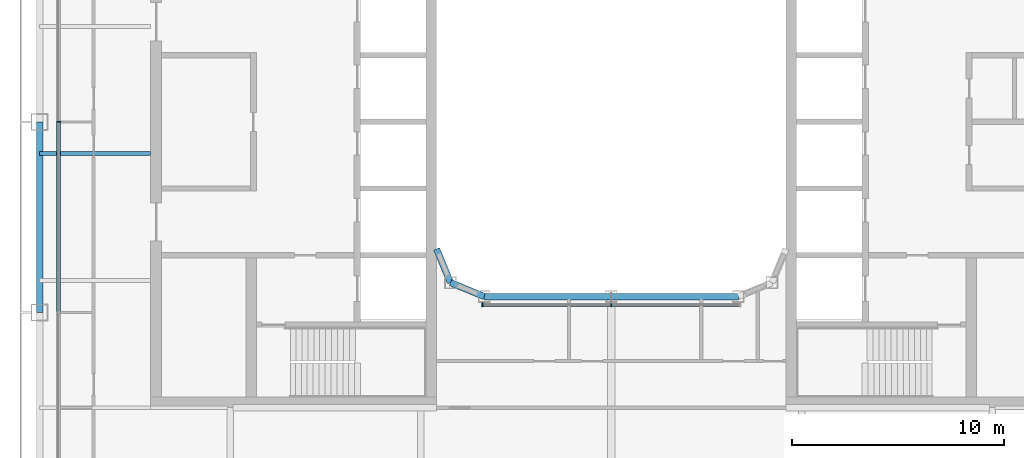
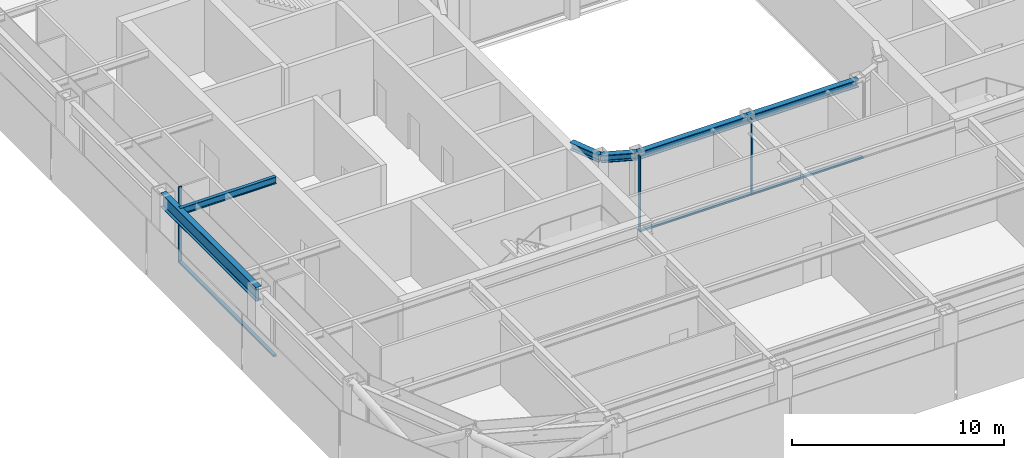
# One storey, part 3 of 23: 6 beams, 6 members, 2 elements without a shape of their own.
"""IFC4 building model written with IfcOpenShell, lengths in metres."""

import ifcopenshell
import ifcopenshell.guid

model = None  # the IFC model being written
_history = None  # IfcOwnerHistory: only IFC2X3 demands one
_inside = {}  # id of a spatial element -> (the spatial element, [elements in it])
_under = {}  # id of a project, library or spatial element -> (it, [spatial elements below it])
_declared = {}  # id of a project -> (the project, [libraries it declares])
_typed = {}  # id of a type object -> (the type object, [elements of that type])
_made_of = {}  # id of a material, layer set ... -> (it, [elements and type objects made of it])


def new_model(schema):
    """Start an empty IFC model of exactly this schema.

    Asked for "IFC4X3", IfcOpenShell would pick the latest addendum, in which some entities
    have other attributes; the version numbers below select the first issue.
    IFC2X3 requires an IfcOwnerHistory on every rooted entity: one is made here for all.
    """
    global model, _history
    if schema == "IFC4X3":
        model = ifcopenshell.file(schema_version=(4, 3, 0, 0))
    else:
        model = ifcopenshell.file(schema=schema)
    _inside.clear()
    _under.clear()
    _declared.clear()
    _typed.clear()
    _made_of.clear()
    _history = None
    if model.schema == "IFC2X3":
        org = make("IfcOrganization", Name="unknown")
        user = make(
            "IfcPersonAndOrganization",
            ThePerson=make("IfcPerson", FamilyName="unknown"),
            TheOrganization=org,
        )
        app = make(
            "IfcApplication",
            ApplicationDeveloper=org,
            Version="unknown",
            ApplicationFullName="unknown",
            ApplicationIdentifier="unknown",
        )
        _history = make(
            "IfcOwnerHistory",
            OwningUser=user,
            OwningApplication=app,
            ChangeAction="ADDED",
            CreationDate=0,
        )
    return model


def make(cls, **values):
    """One entity of the class cls with the attributes given. An attribute that is None is left unset."""
    return model.create_entity(
        cls, **{name: value for name, value in values.items() if value is not None}
    )


def rooted(cls, **values):
    """An entity with a GlobalId (a new one), such as an element, a storey or a relation."""
    return make(cls, GlobalId=ifcopenshell.guid.new(), OwnerHistory=_history, **values)


def si_unit(unit_type, name, prefix=None):
    """IfcSIUnit, for example si_unit("LENGTHUNIT", "METRE", prefix="MILLI")."""
    return make("IfcSIUnit", UnitType=unit_type, Prefix=prefix, Name=name)


def assignment(units):
    """IfcUnitAssignment: the units of a project."""
    return None if units is None else make("IfcUnitAssignment", Units=units)


def point(xyz):
    """IfcCartesianPoint."""
    return None if xyz is None else make("IfcCartesianPoint", Coordinates=xyz)


def direction(xyz):
    """IfcDirection."""
    return None if xyz is None else make("IfcDirection", DirectionRatios=xyz)


def frame(location, z_axis=None, x_axis=None):
    """IfcAxis2Placement3D, a coordinate frame: its origin and axes. An axis left out is left unset."""
    return make(
        "IfcAxis2Placement3D",
        Location=point(location),
        Axis=direction(z_axis),
        RefDirection=direction(x_axis),
    )


def frame_2d(location, x_axis=None):
    """IfcAxis2Placement2D, a coordinate frame in the plane: its origin and x axis."""
    return make(
        "IfcAxis2Placement2D", Location=point(location), RefDirection=direction(x_axis)
    )


def origin():
    """The frame at (0, 0, 0) with its axes left unset."""
    return frame((0.0, 0.0, 0.0))


def origin_2d():
    """The frame at (0, 0) in the plane with its x axis left unset."""
    return frame_2d((0.0, 0.0))


def place(relative_to, where):
    """IfcLocalPlacement: puts the frame where relative to a parent placement (None: the world)."""
    return make(
        "IfcLocalPlacement", PlacementRelTo=relative_to, RelativePlacement=where
    )


def context(
    kind, dimensions, precision=None, world=None, true_north=None, identifier=None
):
    """IfcGeometricRepresentationContext, for example the 3D "Model" context."""
    return make(
        "IfcGeometricRepresentationContext",
        ContextIdentifier=identifier,
        ContextType=kind,
        CoordinateSpaceDimension=dimensions,
        Precision=precision,
        WorldCoordinateSystem=world,
        TrueNorth=true_north,
    )


def subcontext(parent, identifier, kind, view, scale=None):
    """IfcGeometricRepresentationSubContext, for example "Body" below "Model"."""
    return make(
        "IfcGeometricRepresentationSubContext",
        ContextIdentifier=identifier,
        ContextType=kind,
        ParentContext=parent,
        TargetScale=scale,
        TargetView=view,
    )


def project(units=None, contexts=None):
    """IfcProject with its units and contexts."""
    return rooted(
        "IfcProject",
        Name="project",
        RepresentationContexts=contexts,
        UnitsInContext=assignment(units),
    )


def spatial(cls, under=None, at=None, **own):
    """A site, building, storey or space (cls), placed at a placement, below another one or the project."""
    s = rooted(cls, ObjectPlacement=at, **own)
    if under is not None:
        _under.setdefault(under.id(), (under, []))[1].append(s)
    return s


def profile(cls, at=None, kind="AREA", **sizes):
    """A parametric profile (cls). Its sizes go by their IFC names, for example OverallWidth=200.0."""
    return make(cls, ProfileType=kind, Position=at, **sizes)


def rectangle(**sizes):
    """IfcRectangleProfileDef."""
    return profile("IfcRectangleProfileDef", **sizes)


def i_section(**sizes):
    """IfcIShapeProfileDef."""
    return profile("IfcIShapeProfileDef", **sizes)


def extrude(swept, where, along, depth):
    """IfcExtrudedAreaSolid: the profile swept, set in the frame where, extruded along a direction by depth."""
    return make(
        "IfcExtrudedAreaSolid",
        SweptArea=swept,
        Position=where,
        ExtrudedDirection=direction(along),
        Depth=depth,
    )


def shape(context_of_items, identifier, shape_type, items):
    """IfcShapeRepresentation: the items that make up one representation, for example the "Body"."""
    return make(
        "IfcShapeRepresentation",
        ContextOfItems=context_of_items,
        RepresentationIdentifier=identifier,
        RepresentationType=shape_type,
        Items=items,
    )


def material(Name=None, Category=None):
    """IfcMaterial."""
    return make("IfcMaterial", Name=Name, Category=Category)


def layer(
    of_material, thickness, ventilated=None, Name=None, Category=None, Priority=None
):
    """IfcMaterialLayer: one layer of a wall or slab, of a material (None: an air gap)."""
    return make(
        "IfcMaterialLayer",
        Material=of_material,
        LayerThickness=thickness,
        IsVentilated=ventilated,
        Name=Name,
        Category=Category,
        Priority=Priority,
    )


def layer_set(layers, Name=None):
    """IfcMaterialLayerSet."""
    return make("IfcMaterialLayerSet", MaterialLayers=layers, LayerSetName=Name)


def material_profile(
    of_material, cross_section, Name=None, Category=None, Priority=None
):
    """IfcMaterialProfile: a cross section and its material."""
    return make(
        "IfcMaterialProfile",
        Name=Name,
        Material=of_material,
        Profile=cross_section,
        Priority=Priority,
        Category=Category,
    )


def profile_set(profiles, Name=None, composite=None):
    """IfcMaterialProfileSet."""
    return make(
        "IfcMaterialProfileSet",
        Name=Name,
        MaterialProfiles=profiles,
        CompositeProfile=composite,
    )


def made_of(thing, what):
    """Note that an element or type object is made of a material, layer set ...; save() writes the relation."""
    if what is not None:
        _made_of.setdefault(what.id(), (what, []))[1].append(thing)
    return thing


def type_object(cls, material=None, **own):
    """A type object (cls), such as IfcWallType, which elements share."""
    return made_of(rooted(cls, **own), material)


def element(
    cls,
    number,
    at=None,
    inside=None,
    cuts=None,
    type_object=None,
    material=None,
    context=None,
    identifier="Body",
    shape_type=None,
    held_by="IfcProductDefinitionShape",
    body=None,
    shapes=None,
    **own,
):
    """One element of the class cls, such as IfcWall. Its Tag is "e" and its number.

    at: its placement. inside: the storey or other place that contains it. cuts: it is an
    opening in that element (IfcRelVoidsElement). A single representation is given by context,
    identifier, shape_type and body (its items); several are given by shapes. held_by: the class
    of the entity that holds the representations. save() writes the other relations.
    """
    e = rooted(cls, Tag="e%d" % number, ObjectPlacement=at, **own)
    if body is not None:
        shapes = [shape(context, identifier, shape_type, body)]
    if shapes is not None:
        e.Representation = make(held_by, Representations=shapes)
    if inside is not None:
        _inside.setdefault(inside.id(), (inside, []))[1].append(e)
    if cuts is not None:
        rooted(
            "IfcRelVoidsElement", RelatingBuildingElement=cuts, RelatedOpeningElement=e
        )
    if type_object is not None:
        _typed.setdefault(type_object.id(), (type_object, []))[1].append(e)
    return made_of(e, material)


def aggregate(whole, parts):
    """IfcRelAggregates: a whole, such as a stair, and the parts it consists of."""
    return rooted("IfcRelAggregates", RelatingObject=whole, RelatedObjects=parts)


def save(model, path):
    """Write the relations noted so far, then the file.

    IfcRelAggregates (storeys below a building ...), IfcRelContainedInSpatialStructure (elements
    in a storey), IfcRelDefinesByType, IfcRelAssociatesMaterial and IfcRelDeclares: one each for
    every whole, place, type object, material and project.
    """
    for whole, parts in _under.values():
        aggregate(whole, parts)
    for where, things in _inside.values():
        rooted(
            "IfcRelContainedInSpatialStructure",
            RelatedElements=things,
            RelatingStructure=where,
        )
    for kind, things in _typed.values():
        rooted("IfcRelDefinesByType", RelatedObjects=things, RelatingType=kind)
    for what, things in _made_of.values():
        rooted("IfcRelAssociatesMaterial", RelatedObjects=things, RelatingMaterial=what)
    for by, libraries in _declared.values():
        rooted("IfcRelDeclares", RelatingContext=by, RelatedDefinitions=libraries)
    model.write(path)


model = new_model("IFC4")

# Units and contexts
model_context = context("Model", 3, precision=1e-05, world=origin(), true_north=direction((0.0, 1.0)))
body_context = subcontext(model_context, "Body", "Model", "MODEL_VIEW")
ifc_project = project(units=[si_unit("LENGTHUNIT", "METRE"), si_unit("AREAUNIT", "SQUARE_METRE"), si_unit("VOLUMEUNIT", "CUBIC_METRE"), si_unit("PLANEANGLEUNIT", "RADIAN"), si_unit("MASSUNIT", "GRAM", prefix="KILO")], contexts=[model_context])

# Site, building, storey
site_placement = place(None, origin())
site = spatial("IfcSite", under=ifc_project, at=site_placement, CompositionType="ELEMENT")
building_placement = place(site_placement, origin())
building = spatial("IfcBuilding", under=site, at=building_placement, Name="Siwar Civic Tower", CompositionType="ELEMENT")
storey_placement = place(building_placement, frame((0.0, 0.0, 260.199951171875)))
storey = spatial("IfcBuildingStorey", under=building, at=storey_placement, Name="L56", CompositionType="ELEMENT", Elevation=260.199951171875)

# Curtain wall, member
ifc_material_1 = material(Name="Aluminium and glass", Category="aluminium")
ifc_layer_1 = layer(ifc_material_1, 0.179931640625)
ifc_layer_set_1 = layer_set([ifc_layer_1], Name="Aluminium and glass")
curtain_wall_type_1 = type_object("IfcCurtainWallType", Name="ENV-CW-C", PredefinedType="NOTDEFINED", material=ifc_layer_set_1)
curtain_wall_1_placement = place(storey_placement, origin())
curtain_wall_1 = element("IfcCurtainWall", 1, at=curtain_wall_1_placement, inside=storey, type_object=curtain_wall_type_1, Name="Curtain wall C W", PredefinedType="NOTDEFINED")
ifc_material_2 = material(Name="Aluminium 6063-T6", Category="aluminium")
ifc_material_profile_1 = material_profile(ifc_material_2, rectangle(XDim=0.179931640625, YDim=0.06005859375, at=origin_2d()), Name="AL 180x60")
ifc_profile_set_1 = profile_set([ifc_material_profile_1], Name="Aluminium 6063-T6")
member_type_1 = type_object("IfcMemberType", Name="ENV-MULLION-C", PredefinedType="MULLION", material=ifc_profile_set_1)
member_1_placement = place(storey_placement, frame((-26.10009765625, 0.0, 0.0), z_axis=(0.0, 0.0, 1.0), x_axis=(1.0, 0.0, 0.0)))
member_1 = element("IfcMember", 2, at=member_1_placement, type_object=member_type_1, Name="Mullion C W 3", PredefinedType="MULLION", context=body_context, shape_type="SweptSolid", body=[
    extrude(rectangle(XDim=0.179931640625, YDim=0.06005859375, at=origin_2d()), origin(), (0.0, 0.0, 1.0), 4.35009765625),
])

# Curtain wall, members
ifc_material_3 = material(Name="Aluminium and glass", Category="aluminium")
ifc_layer_2 = layer(ifc_material_3, 0.179931640625)
ifc_layer_set_2 = layer_set([ifc_layer_2], Name="Aluminium and glass")
curtain_wall_type_2 = type_object("IfcCurtainWallType", Name="ENV-CW-W", PredefinedType="NOTDEFINED", material=ifc_layer_set_2)
curtain_wall_2_placement = place(storey_placement, origin())
curtain_wall_2 = element("IfcCurtainWall", 3, at=curtain_wall_2_placement, inside=storey, type_object=curtain_wall_type_2, Name="Curtain wall W WS", PredefinedType="NOTDEFINED")
ifc_material_4 = material(Name="Aluminium 6063-T6", Category="aluminium")
ifc_material_profile_2 = material_profile(ifc_material_4, rectangle(XDim=0.179931640625, YDim=0.06005859375, at=origin_2d()), Name="AL 180x60")
ifc_profile_set_2 = profile_set([ifc_material_profile_2], Name="Aluminium 6063-T6")
member_type_2 = type_object("IfcMemberType", Name="ENV-MULLION-W", PredefinedType="MULLION", material=ifc_profile_set_2)
member_2_placement = place(storey_placement, frame((-6.07666015625, -8.635009765625, 0.0), z_axis=(0.0, 0.0, 1.0), x_axis=(0.0, 1.0, 0.0)))
member_2 = element("IfcMember", 4, at=member_2_placement, type_object=member_type_2, Name="Mullion W WS 1", PredefinedType="MULLION", context=body_context, shape_type="SweptSolid", body=[
    extrude(rectangle(XDim=0.179931640625, YDim=0.06005859375, at=origin_2d()), origin(), (0.0, 0.0, 1.0), 4.35009765625),
])
member_3_placement = place(storey_placement, frame((0.0, -8.635009765625, 0.0), z_axis=(0.0, 0.0, 1.0), x_axis=(0.0, 1.0, 0.0)))
member_3 = element("IfcMember", 5, at=member_3_placement, type_object=member_type_2, Name="Mullion W WS 2", PredefinedType="MULLION", context=body_context, shape_type="SweptSolid", body=[
    extrude(rectangle(XDim=0.179931640625, YDim=0.06005859375, at=origin_2d()), origin(), (0.0, 0.0, 1.0), 4.35009765625),
])

# Member
ifc_material_5 = material(Name="Aluminium 6063-T6", Category="aluminium")
ifc_material_profile_3 = material_profile(ifc_material_5, rectangle(XDim=0.179931640625, YDim=0.10009765625, at=origin_2d()), Name="AL 180x100")
ifc_profile_set_3 = profile_set([ifc_material_profile_3], Name="Aluminium 6063-T6")
member_type_3 = type_object("IfcMemberType", Name="ENV-TRANSOM-C", PredefinedType="USERDEFINED", material=ifc_profile_set_3)
member_4_placement = place(storey_placement, frame((-26.10009765625, -0.030029296875, 0.050048828125), z_axis=(0.0, -1.0, 0.0), x_axis=(1.0, 0.0, 0.0)))
member_4 = element("IfcMember", 6, at=member_4_placement, type_object=member_type_3, Name="Transom C W 3", ObjectType="TRANSOM", PredefinedType="USERDEFINED", context=body_context, shape_type="SweptSolid", body=[
    extrude(rectangle(XDim=0.179931640625, YDim=0.10009765625, at=origin_2d()), origin(), (0.0, 0.0, 1.0), 8.93994140625),
])

aggregate(curtain_wall_1, [member_1, member_4])

ifc_material_6 = material(Name="Aluminium 6063-T6", Category="aluminium")
ifc_material_profile_4 = material_profile(ifc_material_6, rectangle(XDim=0.179931640625, YDim=0.10009765625, at=origin_2d()), Name="AL 180x100")
ifc_profile_set_4 = profile_set([ifc_material_profile_4], Name="Aluminium 6063-T6")
member_type_4 = type_object("IfcMemberType", Name="ENV-TRANSOM-W", PredefinedType="USERDEFINED", material=ifc_profile_set_4)
member_5_placement = place(storey_placement, frame((-6.046630859375, -8.635009765625, 0.050048828125), z_axis=(1.0, 0.0, 0.0), x_axis=(0.0, 1.0, 0.0)))
member_5 = element("IfcMember", 7, at=member_5_placement, type_object=member_type_4, Name="Transom W WS 1", ObjectType="TRANSOM", PredefinedType="USERDEFINED", context=body_context, shape_type="SweptSolid", body=[
    extrude(rectangle(XDim=0.179931640625, YDim=0.10009765625, at=origin_2d()), origin(), (0.0, 0.0, 1.0), 6.0166015625),
])

member_6_placement = place(storey_placement, frame((0.030029296875, -8.635009765625, 0.050048828125), z_axis=(1.0, 0.0, 0.0), x_axis=(0.0, 1.0, 0.0)))
member_6 = element("IfcMember", 8, at=member_6_placement, type_object=member_type_4, Name="Transom W WS 2", ObjectType="TRANSOM", PredefinedType="USERDEFINED", context=body_context, shape_type="SweptSolid", body=[
    extrude(rectangle(XDim=0.179931640625, YDim=0.10009765625, at=origin_2d()), origin(), (0.0, 0.0, 1.0), 6.0166015625),
])

aggregate(curtain_wall_2, [member_2, member_3, member_5, member_6])

# Beams
ifc_material_7 = material(Name="Steel S355", Category="steel")
ifc_material_profile_5 = material_profile(ifc_material_7, i_section(OverallWidth=0.179931640625, OverallDepth=0.39990234375, WebThickness=0.008544921875, FlangeThickness=0.013427734375, FilletRadius=0.02099609375, at=origin_2d()), Name="IPE400")
ifc_profile_set_5 = profile_set([ifc_material_profile_5], Name="Steel S355")
beam_type_1 = type_object("IfcBeamType", Name="STR-FB-IPE400", PredefinedType="JOIST", material=ifc_profile_set_5)
beam_1_placement = place(storey_placement, frame((-27.0, -1.5, 4.150146484375), z_axis=(1.0, 0.0, 0.0), x_axis=(0.0, 1.0, 0.0)))
element("IfcBeam", 9, at=beam_1_placement, inside=storey, type_object=beam_type_1, Name="L56/bm/F023", PredefinedType="JOIST", context=body_context, shape_type="SweptSolid", body=[
    extrude(i_section(OverallWidth=0.179931640625, OverallDepth=0.39990234375, WebThickness=0.008544921875, FlangeThickness=0.013427734375, FilletRadius=0.02099609375, at=origin_2d()), origin(), (0.0, 0.0, 1.0), 5.25),
])
ifc_material_8 = material(Name="Steel S355", Category="steel")
ifc_material_profile_6 = material_profile(ifc_material_8, i_section(OverallWidth=0.306884765625, OverallDepth=0.431884765625, WebThickness=0.02099609375, FlangeThickness=0.0400390625, FilletRadius=0.027099609375, at=origin_2d()), Name="HEM400")
ifc_profile_set_6 = profile_set([ifc_material_profile_6], Name="Steel S355")
beam_type_2 = type_object("IfcBeamType", Name="STR-RB-HEM400", PredefinedType="BEAM", material=ifc_profile_set_6)
beam_2_placement = place(storey_placement, frame((-7.591064453125, -7.591064453125, 4.134033203125), z_axis=(0.923901072997, -0.382631424892, 0.0), x_axis=(0.382631424892, 0.923901072997, 0.0)))
element("IfcBeam", 10, at=beam_2_placement, inside=storey, type_object=beam_type_2, Name="L56/bm/RS0", PredefinedType="BEAM", context=body_context, shape_type="SweptSolid", body=[
    extrude(i_section(OverallWidth=0.306884765625, OverallDepth=0.431884765625, WebThickness=0.02099609375, FlangeThickness=0.0400390625, FilletRadius=0.027099609375, at=origin_2d()), origin(), (0.0, 0.0, 1.0), 1.72216796875),
])
for number, where, z_axis, x_axis, name in (
    (11, (-6.0, -8.25, 4.134033203125), (1.0, 0.0, 0.0), (0.0, 1.0, 0.0), "L56/bm/RS1"),
    (12, (0.0, -8.25, 4.134033203125), (1.0, 0.0, 0.0), (0.0, 1.0, 0.0), "L56/bm/RS2"),
):
    element("IfcBeam", number, at=place(storey_placement, frame(where, z_axis=z_axis, x_axis=x_axis)), inside=storey, type_object=beam_type_2, Name=name, PredefinedType="BEAM", context=body_context, shape_type="SweptSolid", body=[
        extrude(i_section(OverallWidth=0.306884765625, OverallDepth=0.431884765625, WebThickness=0.02099609375, FlangeThickness=0.0400390625, FilletRadius=0.027099609375, at=origin_2d()), origin(), (0.0, 0.0, 1.0), 6.0),
    ])
beam_3_placement = place(storey_placement, frame((-7.591064453125, -7.591064453125, 4.134033203125), z_axis=(-0.382631424892, 0.923901072997, 0.0), x_axis=(-0.923901072997, -0.382631424892, 0.0)))
element("IfcBeam", 13, at=beam_3_placement, inside=storey, type_object=beam_type_2, Name="L56/bm/RSEW", PredefinedType="BEAM", context=body_context, shape_type="SweptSolid", body=[
    extrude(i_section(OverallWidth=0.306884765625, OverallDepth=0.431884765625, WebThickness=0.02099609375, FlangeThickness=0.0400390625, FilletRadius=0.027099609375, at=origin_2d()), origin(), (0.0, 0.0, 1.0), 1.72216796875),
])
ifc_material_9 = material(Name="Steel S355", Category="steel")
ifc_material_profile_7 = material_profile(ifc_material_9, i_section(OverallWidth=0.300048828125, OverallDepth=0.800048828125, WebThickness=0.017578125, FlangeThickness=0.032958984375, FilletRadius=0.030029296875, at=origin_2d()), Name="HEB800")
ifc_profile_set_7 = profile_set([ifc_material_profile_7], Name="Steel S355")
beam_type_3 = type_object("IfcBeamType", Name="STR-SB-HEB800", PredefinedType="BEAM", material=ifc_profile_set_7)
beam_4_placement = place(storey_placement, frame((-27.0, 0.0, 3.949951171875), z_axis=(0.0, -1.0, 0.0), x_axis=(1.0, 0.0, 0.0)))
element("IfcBeam", 14, at=beam_4_placement, inside=storey, type_object=beam_type_3, Name="L56/bm/SW-2", PredefinedType="BEAM", context=body_context, shape_type="SweptSolid", body=[
    extrude(i_section(OverallWidth=0.300048828125, OverallDepth=0.800048828125, WebThickness=0.017578125, FlangeThickness=0.032958984375, FilletRadius=0.030029296875, at=origin_2d()), origin(), (0.0, 0.0, 1.0), 9.0),
])

save(model, "model.ifc")
